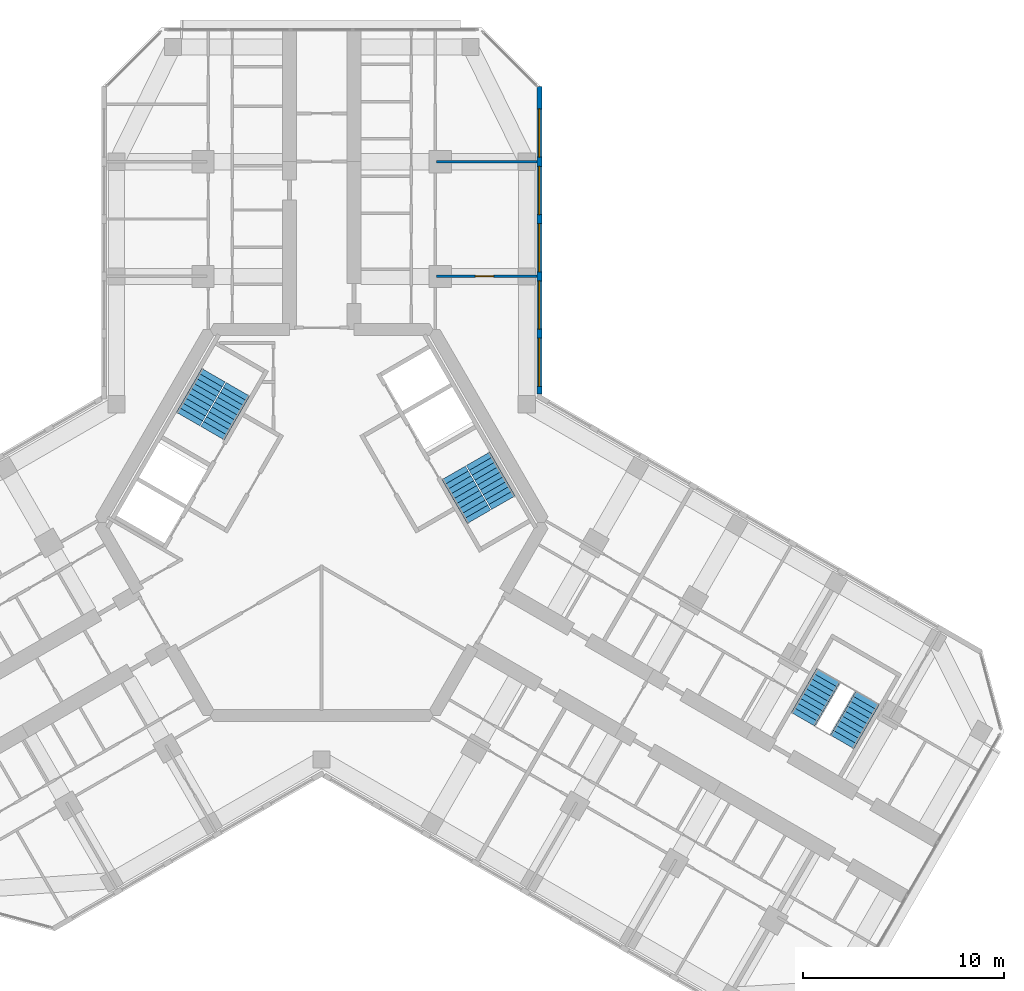
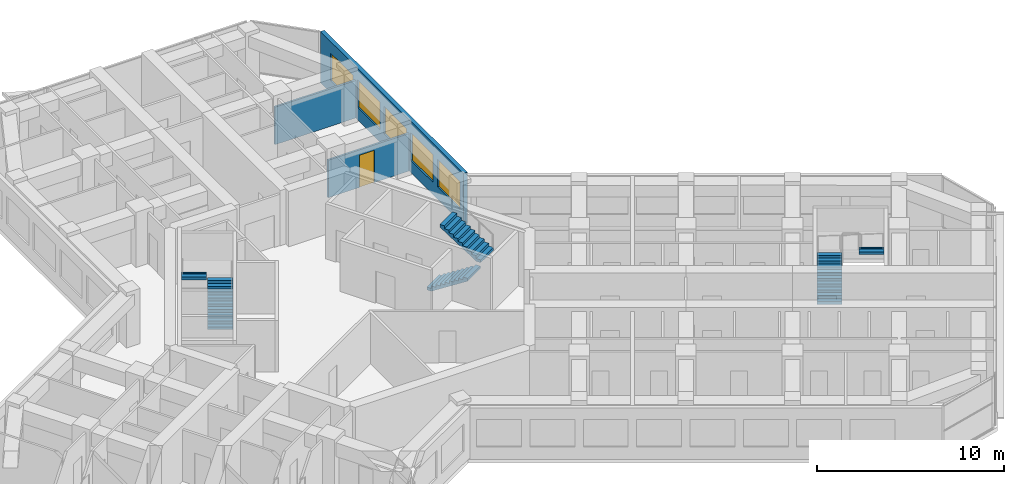
# One storey, part 15 of 16: 6 stair flights, 5 windows, 3 walls, 1 door, 6 openings, 3 elements without a shape of their own.
"""IFC4 building model written with IfcOpenShell, lengths in metres."""

from ifc_helpers import new_model, si_unit, direction, frame, frame_2d, origin, place, context, subcontext, project, spatial, polyline, rectangle, outline, extrude, material, layer, layer_set, type_object, element, fill, aggregate, save


model = new_model("IFC4")

# Units and contexts
model_context = context("Model", 3, precision=1e-05, world=origin(), true_north=direction((0.0, 1.0)))
body_context = subcontext(model_context, "Body", "Model", "MODEL_VIEW")
ifc_project = project(units=[si_unit("LENGTHUNIT", "METRE"), si_unit("AREAUNIT", "SQUARE_METRE"), si_unit("VOLUMEUNIT", "CUBIC_METRE"), si_unit("PLANEANGLEUNIT", "RADIAN"), si_unit("MASSUNIT", "GRAM", prefix="KILO")], contexts=[model_context])

# Site, building, storey
site_placement = place(None, origin())
site = spatial("IfcSite", under=ifc_project, at=site_placement, CompositionType="ELEMENT")
building_placement = place(site_placement, origin())
building = spatial("IfcBuilding", under=site, at=building_placement, Name="Kosmar Iwan School Tower", CompositionType="ELEMENT")
storey_placement = place(building_placement, frame((0.0, 0.0, 246.0)))
storey = spatial("IfcBuildingStorey", under=building, at=storey_placement, Name="L62", CompositionType="ELEMENT", Elevation=246.0)

# Wall, opening, door
ifc_material_1 = material(Name="Gypsum board on steel studs", Category="steel")
ifc_layer_1 = layer(ifc_material_1, 0.1201171875)
ifc_layer_set_1 = layer_set([ifc_layer_1], Name="Dwelling partition 120")
wall_type_1 = type_object("IfcWallType", Name="Dwelling partition 120", PredefinedType="PARTITIONING", material=ifc_layer_set_1)
wall_1_placement = place(storey_placement, frame((5.7099609375, 12.25, 0.0), z_axis=(0.0, 0.0, 1.0), x_axis=(1.0, 0.0, 0.0)))
wall_1 = element("IfcWall", 1, at=wall_1_placement, inside=storey, type_object=wall_type_1, Name="Partition L62-AR1-X1", PredefinedType="PARTITIONING", context=body_context, shape_type="SweptSolid", body=[
    extrude(rectangle(XDim=4.989990234375, YDim=0.1201171875, at=frame_2d((2.4951171875, 0.0))), origin(), (0.0, 0.0, 1.0), 2.449951171875),
])
opening_1_placement = place(wall_1_placement, frame((1.93994140625, 0.0, 0.0)))
opening_1 = element("IfcOpeningElement", 2, at=opening_1_placement, cuts=wall_1, Name="Opening D2", PredefinedType="OPENING", context=body_context, shape_type="SweptSolid", body=[
    extrude(rectangle(XDim=0.89990234375, YDim=2.10009765625, at=frame_2d((0.449951171875, 1.050048828125))), frame((0.0, 0.072021484375, 0.0), z_axis=(0.0, -1.0, 0.0), x_axis=(1.0, 0.0, 0.0)), (0.0, 0.0, 1.0), 0.14404296875),
])
ifc_material_2 = material(Name="Timber door in timber frame", Category="wood")
door_type = type_object("IfcDoorType", Name="Internal door 900x2100", OperationType="SINGLE_SWING_LEFT", PredefinedType="DOOR", material=ifc_material_2)
door_placement = place(opening_1_placement, origin())
door = element("IfcDoor", 3, at=door_placement, inside=storey, type_object=door_type, Name="Kitchen and dining room door L62-AR1-F1", OperationType="SINGLE_SWING_LEFT", OverallHeight=2.10009765625, OverallWidth=0.89990234375, PredefinedType="DOOR", context=body_context, shape_type="SweptSolid", body=[
    extrude(rectangle(XDim=0.89990234375, YDim=2.10009765625, at=frame_2d((0.449951171875, 1.050048828125))), frame((0.0, 0.02490234375, 0.0), z_axis=(0.0, -1.0, 0.0), x_axis=(1.0, 0.0, 0.0)), (0.0, 0.0, 1.0), 0.050048828125),
])
fill(opening_1, door)

# Wall
wall_2_placement = place(storey_placement, frame((5.7099609375, 17.949951171875, 0.0), z_axis=(0.0, 0.0, 1.0), x_axis=(1.0, 0.0, 0.0)))
element("IfcWall", 4, at=wall_2_placement, inside=storey, type_object=wall_type_1, Name="Partition L62-AR1-X2", PredefinedType="PARTITIONING", context=body_context, shape_type="SweptSolid", body=[
    extrude(rectangle(XDim=4.989990234375, YDim=0.1201171875, at=frame_2d((2.4951171875, 0.0))), origin(), (0.0, 0.0, 1.0), 2.449951171875),
])

# Wall, openings, windows
ifc_material_3 = material(Name="Black aluminium rainscreen on insulated framing", Category="aluminium")
ifc_layer_2 = layer(ifc_material_3, 0.25)
ifc_layer_set_2 = layer_set([ifc_layer_2], Name="External wall rainscreen 250")
wall_type_2 = type_object("IfcWallType", Name="External wall rainscreen 250", PredefinedType="SOLIDWALL", material=ifc_layer_set_2)
wall_3_placement = place(storey_placement, frame((10.824951171875, 6.408935546875, 0.0), z_axis=(0.0, 0.0, 1.0), x_axis=(0.0, 1.0, 0.0)))
wall_3 = element("IfcWall", 5, at=wall_3_placement, inside=storey, type_object=wall_type_2, Name="External wall AR L62", PredefinedType="SOLIDWALL", context=body_context, shape_type="SweptSolid", body=[
    extrude(rectangle(XDim=15.2763671875, YDim=0.25, at=frame_2d((7.63818359375, 0.0))), origin(), (0.0, 0.0, 1.0), 3.35009765625),
])
opening_2_placement = place(wall_3_placement, frame((0.365966796875, 0.0, 0.800048828125)))
opening_2 = element("IfcOpeningElement", 6, at=opening_2_placement, cuts=wall_3, Name="Opening W5", PredefinedType="OPENING", context=body_context, shape_type="SweptSolid", body=[
    extrude(rectangle(XDim=2.39990234375, YDim=1.800048828125, at=frame_2d((1.199951171875, 0.89990234375))), frame((0.0, 0.136962890625, 0.0), z_axis=(0.0, -1.0, 0.0), x_axis=(1.0, 0.0, 0.0)), (0.0, 0.0, 1.0), 0.27392578125),
])
opening_3_placement = place(wall_3_placement, frame((3.216064453125, 0.0, 0.800048828125)))
opening_3 = element("IfcOpeningElement", 7, at=opening_3_placement, cuts=wall_3, Name="Opening W5", PredefinedType="OPENING", context=body_context, shape_type="SweptSolid", body=[
    extrude(rectangle(XDim=2.39990234375, YDim=1.800048828125, at=frame_2d((1.199951171875, 0.89990234375))), frame((0.0, 0.136962890625, 0.0), z_axis=(0.0, -1.0, 0.0), x_axis=(1.0, 0.0, 0.0)), (0.0, 0.0, 1.0), 0.27392578125),
])
opening_4_placement = place(wall_3_placement, frame((6.06591796875, 0.0, 0.800048828125)))
opening_4 = element("IfcOpeningElement", 8, at=opening_4_placement, cuts=wall_3, Name="Opening W5", PredefinedType="OPENING", context=body_context, shape_type="SweptSolid", body=[
    extrude(rectangle(XDim=2.39990234375, YDim=1.800048828125, at=frame_2d((1.199951171875, 0.89990234375))), frame((0.0, 0.136962890625, 0.0), z_axis=(0.0, -1.0, 0.0), x_axis=(1.0, 0.0, 0.0)), (0.0, 0.0, 1.0), 0.27392578125),
])
opening_5_placement = place(wall_3_placement, frame((8.916015625, 0.0, 0.800048828125)))
opening_5 = element("IfcOpeningElement", 9, at=opening_5_placement, cuts=wall_3, Name="Opening W5", PredefinedType="OPENING", context=body_context, shape_type="SweptSolid", body=[
    extrude(rectangle(XDim=2.39990234375, YDim=1.800048828125, at=frame_2d((1.199951171875, 0.89990234375))), frame((0.0, 0.136962890625, 0.0), z_axis=(0.0, -1.0, 0.0), x_axis=(1.0, 0.0, 0.0)), (0.0, 0.0, 1.0), 0.27392578125),
])
opening_6_placement = place(wall_3_placement, frame((11.76611328125, 0.0, 0.800048828125)))
opening_6 = element("IfcOpeningElement", 10, at=opening_6_placement, cuts=wall_3, Name="Opening W5", PredefinedType="OPENING", context=body_context, shape_type="SweptSolid", body=[
    extrude(rectangle(XDim=2.39990234375, YDim=1.800048828125, at=frame_2d((1.199951171875, 0.89990234375))), frame((0.0, 0.136962890625, 0.0), z_axis=(0.0, -1.0, 0.0), x_axis=(1.0, 0.0, 0.0)), (0.0, 0.0, 1.0), 0.27392578125),
])
ifc_material_4 = material(Name="Black aluminium frame with dark triple glazing", Category="aluminium")
window_type = type_object("IfcWindowType", Name="Window 2400x1800", PartitioningType="SINGLE_PANEL", PredefinedType="WINDOW", material=ifc_material_4)
window_1_placement = place(opening_2_placement, origin())
window_1 = element("IfcWindow", 11, at=window_1_placement, inside=storey, type_object=window_type, Name="Window AR L62 -1", OverallHeight=1.800048828125, OverallWidth=2.39990234375, PartitioningType="SINGLE_PANEL", PredefinedType="WINDOW", context=body_context, shape_type="SweptSolid", body=[
    extrude(rectangle(XDim=2.39990234375, YDim=1.800048828125, at=frame_2d((1.199951171875, 0.89990234375))), frame((0.0, 0.030029296875, 0.0), z_axis=(0.0, -1.0, 0.0), x_axis=(1.0, 0.0, 0.0)), (0.0, 0.0, 1.0), 0.06005859375),
])
fill(opening_2, window_1)
window_2_placement = place(opening_3_placement, origin())
window_2 = element("IfcWindow", 12, at=window_2_placement, inside=storey, type_object=window_type, Name="Window AR L62 0", OverallHeight=1.800048828125, OverallWidth=2.39990234375, PartitioningType="SINGLE_PANEL", PredefinedType="WINDOW", context=body_context, shape_type="SweptSolid", body=[
    extrude(rectangle(XDim=2.39990234375, YDim=1.800048828125, at=frame_2d((1.199951171875, 0.89990234375))), frame((0.0, 0.030029296875, 0.0), z_axis=(0.0, -1.0, 0.0), x_axis=(1.0, 0.0, 0.0)), (0.0, 0.0, 1.0), 0.06005859375),
])
fill(opening_3, window_2)
window_3_placement = place(opening_4_placement, origin())
window_3 = element("IfcWindow", 13, at=window_3_placement, inside=storey, type_object=window_type, Name="Window AR L62 1", OverallHeight=1.800048828125, OverallWidth=2.39990234375, PartitioningType="SINGLE_PANEL", PredefinedType="WINDOW", context=body_context, shape_type="SweptSolid", body=[
    extrude(rectangle(XDim=2.39990234375, YDim=1.800048828125, at=frame_2d((1.199951171875, 0.89990234375))), frame((0.0, 0.030029296875, 0.0), z_axis=(0.0, -1.0, 0.0), x_axis=(1.0, 0.0, 0.0)), (0.0, 0.0, 1.0), 0.06005859375),
])
fill(opening_4, window_3)
window_4_placement = place(opening_5_placement, origin())
window_4 = element("IfcWindow", 14, at=window_4_placement, inside=storey, type_object=window_type, Name="Window AR L62 2", OverallHeight=1.800048828125, OverallWidth=2.39990234375, PartitioningType="SINGLE_PANEL", PredefinedType="WINDOW", context=body_context, shape_type="SweptSolid", body=[
    extrude(rectangle(XDim=2.39990234375, YDim=1.800048828125, at=frame_2d((1.199951171875, 0.89990234375))), frame((0.0, 0.030029296875, 0.0), z_axis=(0.0, -1.0, 0.0), x_axis=(1.0, 0.0, 0.0)), (0.0, 0.0, 1.0), 0.06005859375),
])
fill(opening_5, window_4)
window_5_placement = place(opening_6_placement, origin())
window_5 = element("IfcWindow", 15, at=window_5_placement, inside=storey, type_object=window_type, Name="Window AR L62 3", OverallHeight=1.800048828125, OverallWidth=2.39990234375, PartitioningType="SINGLE_PANEL", PredefinedType="WINDOW", context=body_context, shape_type="SweptSolid", body=[
    extrude(rectangle(XDim=2.39990234375, YDim=1.800048828125, at=frame_2d((1.199951171875, 0.89990234375))), frame((0.0, 0.030029296875, 0.0), z_axis=(0.0, -1.0, 0.0), x_axis=(1.0, 0.0, 0.0)), (0.0, 0.0, 1.0), 0.06005859375),
])
fill(opening_6, window_5)

# Stair, stair flights
ifc_material_5 = material(Name="Concrete C35/45", Category="concrete")
stair_type_1 = type_object("IfcStairType", Name="Escape stair 3600", PredefinedType="HALF_TURN_STAIR", material=ifc_material_5)
stair_1_placement = place(storey_placement, origin())
stair_1 = element("IfcStair", 16, at=stair_1_placement, inside=storey, type_object=stair_type_1, Name="Stair WS3 L62", PredefinedType="HALF_TURN_STAIR")
ifc_material_6 = material(Name="Concrete C35/45", Category="concrete")
stair_flight_type_1 = type_object("IfcStairFlightType", Name="Escape stair flight 1350", PredefinedType="STRAIGHT", material=ifc_material_6)
stair_flight_1_placement = place(storey_placement, frame((23.94189453125, -9.781494140625, 0.0), z_axis=(0.0, 0.0, 1.0), x_axis=(0.5, 0.866025403784, 0.0)))
stair_flight_1 = element("IfcStairFlight", 17, at=stair_flight_1_placement, type_object=stair_flight_type_1, Name="WS3 flight 1", NumberOfRisers=10, NumberOfTreads=9, PredefinedType="STRAIGHT", RiserHeight=0.18, TreadLength=0.28, context=body_context, shape_type="SweptSolid", body=[
    extrude(outline(polyline([(0.0, 0.0), (0.0, 0.179931640625), (0.280029296875, 0.179931640625), (0.280029296875, 0.360107421875), (0.56005859375, 0.360107421875), (0.56005859375, 0.5400390625), (0.840087890625, 0.5400390625), (0.840087890625, 0.719970703125), (1.1201171875, 0.719970703125), (1.1201171875, 0.89990234375), (1.39990234375, 0.89990234375), (1.39990234375, 1.080078125), (1.679931640625, 1.080078125), (1.679931640625, 1.260009765625), (1.9599609375, 1.260009765625), (1.9599609375, 1.43994140625), (2.239990234375, 1.43994140625), (2.239990234375, 1.6201171875), (2.52001953125, 1.6201171875), (2.52001953125, 1.800048828125), (2.52001953125, 1.44189453125), (0.277099609375, 0.0), (0.0, 0.0)])), frame((0.0, 0.675048828125, 0.0), z_axis=(0.0, -1.0, 0.0), x_axis=(1.0, 0.0, 0.0)), (0.0, 0.0, 1.0), 1.35009765625),
])
stair_flight_2_placement = place(storey_placement, frame((27.150390625, -8.72412109375, 1.800048828125), z_axis=(0.0, 0.0, 1.0), x_axis=(-0.5, -0.866025403784, 0.0)))
stair_flight_2 = element("IfcStairFlight", 18, at=stair_flight_2_placement, type_object=stair_flight_type_1, Name="WS3 flight 2", NumberOfRisers=10, NumberOfTreads=9, PredefinedType="STRAIGHT", RiserHeight=0.18, TreadLength=0.28, context=body_context, shape_type="SweptSolid", body=[
    extrude(outline(polyline([(0.0, 0.0), (0.0, 0.179931640625), (0.280029296875, 0.179931640625), (0.280029296875, 0.360107421875), (0.56005859375, 0.360107421875), (0.56005859375, 0.5400390625), (0.840087890625, 0.5400390625), (0.840087890625, 0.719970703125), (1.1201171875, 0.719970703125), (1.1201171875, 0.89990234375), (1.39990234375, 0.89990234375), (1.39990234375, 1.080078125), (1.679931640625, 1.080078125), (1.679931640625, 1.260009765625), (1.9599609375, 1.260009765625), (1.9599609375, 1.43994140625), (2.239990234375, 1.43994140625), (2.239990234375, 1.6201171875), (2.52001953125, 1.6201171875), (2.52001953125, 1.800048828125), (2.52001953125, 1.44189453125), (0.277099609375, 0.0), (0.0, 0.0)])), frame((0.0, 0.675048828125, 0.0), z_axis=(0.0, -1.0, 0.0), x_axis=(1.0, 0.0, 0.0)), (0.0, 0.0, 1.0), 1.35009765625),
])
aggregate(stair_1, [stair_flight_1, stair_flight_2])

ifc_material_7 = material(Name="Concrete C35/45", Category="concrete")
stair_type_2 = type_object("IfcStairType", Name="Core stair 2750", PredefinedType="HALF_TURN_STAIR", material=ifc_material_7)
stair_2_placement = place(storey_placement, origin())
stair_2 = element("IfcStair", 19, at=stair_2_placement, inside=storey, type_object=stair_type_2, Name="Stair ST2 L62", PredefinedType="HALF_TURN_STAIR")
ifc_material_8 = material(Name="Concrete C35/45", Category="concrete")
stair_flight_type_2 = type_object("IfcStairFlightType", Name="Stair flight 1350", PredefinedType="STRAIGHT", material=ifc_material_8)
stair_flight_3_placement = place(storey_placement, frame((-5.42724609375, 4.44970703125, 0.0), z_axis=(0.0, 0.0, 1.0), x_axis=(0.5, 0.866025403784, 0.0)))
stair_flight_3 = element("IfcStairFlight", 20, at=stair_flight_3_placement, type_object=stair_flight_type_2, Name="ST2 flight 1", NumberOfRisers=10, NumberOfTreads=9, PredefinedType="STRAIGHT", RiserHeight=0.18, TreadLength=0.28, context=body_context, shape_type="SweptSolid", body=[
    extrude(outline(polyline([(0.0, 0.0), (0.0, 0.179931640625), (0.280029296875, 0.179931640625), (0.280029296875, 0.360107421875), (0.56005859375, 0.360107421875), (0.56005859375, 0.5400390625), (0.840087890625, 0.5400390625), (0.840087890625, 0.719970703125), (1.1201171875, 0.719970703125), (1.1201171875, 0.89990234375), (1.39990234375, 0.89990234375), (1.39990234375, 1.080078125), (1.679931640625, 1.080078125), (1.679931640625, 1.260009765625), (1.9599609375, 1.260009765625), (1.9599609375, 1.43994140625), (2.239990234375, 1.43994140625), (2.239990234375, 1.6201171875), (2.52001953125, 1.6201171875), (2.52001953125, 1.800048828125), (2.52001953125, 1.44189453125), (0.277099609375, 0.0), (0.0, 0.0)])), frame((0.0, 0.675048828125, 0.0), z_axis=(0.0, -1.0, 0.0), x_axis=(1.0, 0.0, 0.0)), (0.0, 0.0, 1.0), 1.35009765625),
])
stair_flight_4_placement = place(storey_placement, frame((-5.379638671875, 7.33203125, 1.800048828125), z_axis=(0.0, 0.0, 1.0), x_axis=(-0.5, -0.866025403784, 0.0)))
stair_flight_4 = element("IfcStairFlight", 21, at=stair_flight_4_placement, type_object=stair_flight_type_2, Name="ST2 flight 2", NumberOfRisers=10, NumberOfTreads=9, PredefinedType="STRAIGHT", RiserHeight=0.18, TreadLength=0.28, context=body_context, shape_type="SweptSolid", body=[
    extrude(outline(polyline([(0.0, 0.0), (0.0, 0.179931640625), (0.280029296875, 0.179931640625), (0.280029296875, 0.360107421875), (0.56005859375, 0.360107421875), (0.56005859375, 0.5400390625), (0.840087890625, 0.5400390625), (0.840087890625, 0.719970703125), (1.1201171875, 0.719970703125), (1.1201171875, 0.89990234375), (1.39990234375, 0.89990234375), (1.39990234375, 1.080078125), (1.679931640625, 1.080078125), (1.679931640625, 1.260009765625), (1.9599609375, 1.260009765625), (1.9599609375, 1.43994140625), (2.239990234375, 1.43994140625), (2.239990234375, 1.6201171875), (2.52001953125, 1.6201171875), (2.52001953125, 1.800048828125), (2.52001953125, 1.44189453125), (0.277099609375, 0.0), (0.0, 0.0)])), frame((0.0, 0.675048828125, 0.0), z_axis=(0.0, -1.0, 0.0), x_axis=(1.0, 0.0, 0.0)), (0.0, 0.0, 1.0), 1.35009765625),
])
aggregate(stair_2, [stair_flight_3, stair_flight_4])

stair_3_placement = place(storey_placement, origin())
stair_3 = element("IfcStair", 22, at=stair_3_placement, inside=storey, type_object=stair_type_2, Name="Stair ST1 L62", PredefinedType="HALF_TURN_STAIR")
stair_flight_5_placement = place(storey_placement, frame((6.567138671875, 2.475341796875, 0.0), z_axis=(0.0, 0.0, 1.0), x_axis=(0.5, -0.866025403784, 0.0)))
stair_flight_5 = element("IfcStairFlight", 23, at=stair_flight_5_placement, type_object=stair_flight_type_2, Name="ST1 flight 1", NumberOfRisers=10, NumberOfTreads=9, PredefinedType="STRAIGHT", RiserHeight=0.18, TreadLength=0.28, context=body_context, shape_type="SweptSolid", body=[
    extrude(outline(polyline([(0.0, 0.0), (0.0, 0.179931640625), (0.280029296875, 0.179931640625), (0.280029296875, 0.360107421875), (0.56005859375, 0.360107421875), (0.56005859375, 0.5400390625), (0.840087890625, 0.5400390625), (0.840087890625, 0.719970703125), (1.1201171875, 0.719970703125), (1.1201171875, 0.89990234375), (1.39990234375, 0.89990234375), (1.39990234375, 1.080078125), (1.679931640625, 1.080078125), (1.679931640625, 1.260009765625), (1.9599609375, 1.260009765625), (1.9599609375, 1.43994140625), (2.239990234375, 1.43994140625), (2.239990234375, 1.6201171875), (2.52001953125, 1.6201171875), (2.52001953125, 1.800048828125), (2.52001953125, 1.44189453125), (0.277099609375, 0.0), (0.0, 0.0)])), frame((0.0, 0.675048828125, 0.0), z_axis=(0.0, -1.0, 0.0), x_axis=(1.0, 0.0, 0.0)), (0.0, 0.0, 1.0), 1.35009765625),
])
stair_flight_6_placement = place(storey_placement, frame((9.03955078125, 0.992919921875, 1.800048828125), z_axis=(0.0, 0.0, 1.0), x_axis=(-0.5, 0.866025403784, 0.0)))
stair_flight_6 = element("IfcStairFlight", 24, at=stair_flight_6_placement, type_object=stair_flight_type_2, Name="ST1 flight 2", NumberOfRisers=10, NumberOfTreads=9, PredefinedType="STRAIGHT", RiserHeight=0.18, TreadLength=0.28, context=body_context, shape_type="SweptSolid", body=[
    extrude(outline(polyline([(0.0, 0.0), (0.0, 0.179931640625), (0.280029296875, 0.179931640625), (0.280029296875, 0.360107421875), (0.56005859375, 0.360107421875), (0.56005859375, 0.5400390625), (0.840087890625, 0.5400390625), (0.840087890625, 0.719970703125), (1.1201171875, 0.719970703125), (1.1201171875, 0.89990234375), (1.39990234375, 0.89990234375), (1.39990234375, 1.080078125), (1.679931640625, 1.080078125), (1.679931640625, 1.260009765625), (1.9599609375, 1.260009765625), (1.9599609375, 1.43994140625), (2.239990234375, 1.43994140625), (2.239990234375, 1.6201171875), (2.52001953125, 1.6201171875), (2.52001953125, 1.800048828125), (2.52001953125, 1.44189453125), (0.277099609375, 0.0), (0.0, 0.0)])), frame((0.0, 0.675048828125, 0.0), z_axis=(0.0, -1.0, 0.0), x_axis=(1.0, 0.0, 0.0)), (0.0, 0.0, 1.0), 1.35009765625),
])
aggregate(stair_3, [stair_flight_5, stair_flight_6])

save(model, "model.ifc")
